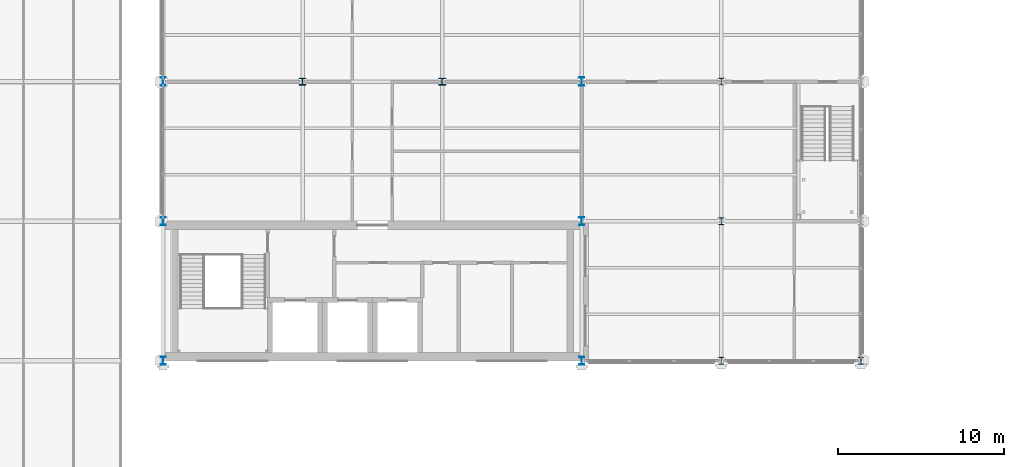
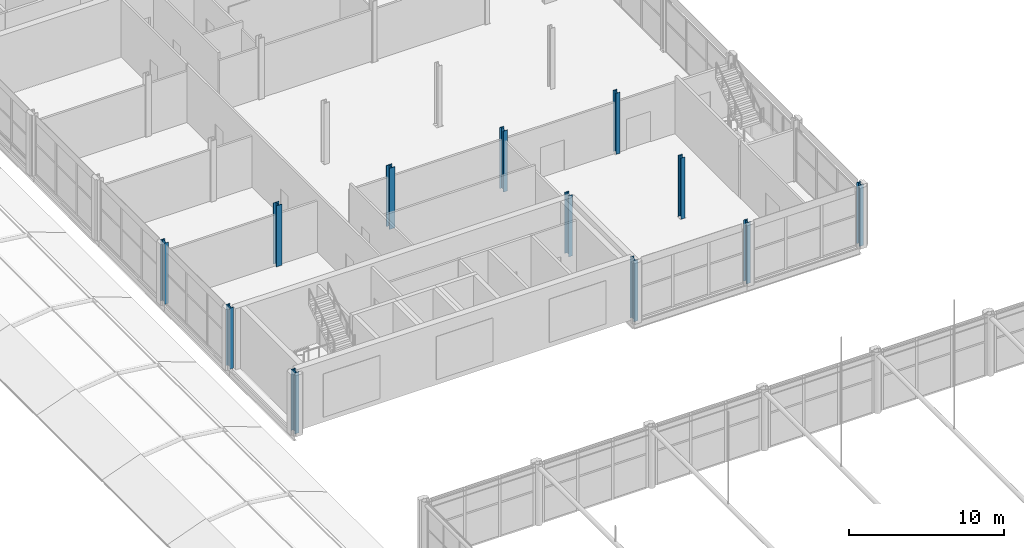
# One storey, part 11 of 167: 12 columns.
"""IFC4 building model written with IfcOpenShell, lengths in metres."""

from ifc_helpers import new_model, si_unit, direction, frame, origin, origin_2d, place, context, subcontext, project, spatial, i_section, extrude, material, material_profile, profile_set, type_object, element, save


model = new_model("IFC4")

# Units and contexts
model_context = context("Model", 3, precision=1e-05, world=origin(), true_north=direction((0.0, 1.0)))
body_context = subcontext(model_context, "Body", "Model", "MODEL_VIEW")
ifc_project = project(units=[si_unit("LENGTHUNIT", "METRE"), si_unit("AREAUNIT", "SQUARE_METRE"), si_unit("VOLUMEUNIT", "CUBIC_METRE"), si_unit("PLANEANGLEUNIT", "RADIAN"), si_unit("MASSUNIT", "GRAM", prefix="KILO")], contexts=[model_context])

# Site, building, storey
site_placement = place(None, origin())
site = spatial("IfcSite", under=ifc_project, at=site_placement, CompositionType="ELEMENT")
building_placement = place(site_placement, origin())
building = spatial("IfcBuilding", under=site, at=building_placement, Name="Catenary Quay Ferry Terminal", CompositionType="ELEMENT")
storey_placement = place(building_placement, frame((0.0, 0.0, 6.0)))
storey = spatial("IfcBuildingStorey", under=building, at=storey_placement, Name="L01", CompositionType="ELEMENT", Elevation=6.0)

# Columns
ifc_material_1 = material(Name="Steel S355", Category="steel")
ifc_material_profile_1 = material_profile(ifc_material_1, i_section(OverallWidth=0.300048828125, OverallDepth=0.5, WebThickness=0.014404296875, FlangeThickness=0.028076171875, at=origin_2d()), Name="HEB 500")
ifc_profile_set_1 = profile_set([ifc_material_profile_1], Name="Steel S355")
column_type_1 = type_object("IfcColumnType", Name="C1 HEB 500", PredefinedType="COLUMN", material=ifc_profile_set_1)
for number, where, z_axis, x_axis, name in (
    (1, (25.199951171875, 159.60009765625, 0.0), (0.0, 0.0, 1.0), (1.0, 0.0, 0.0), "Column C-D20 L01"),
    (2, (25.199951171875, 168.0, 0.0), (0.0, 0.0, 1.0), (1.0, 0.0, 0.0), "Column C-D21 L01"),
    (3, (50.39990234375, 159.60009765625, 0.0), (0.0, 0.0, 1.0), (1.0, 0.0, 0.0), "Column C-G20 L01"),
    (4, (50.39990234375, 168.0, 0.0), (0.0, 0.0, 1.0), (1.0, 0.0, 0.0), "Column C-G21 L01"),
    (5, (25.199951171875, 176.39990234375, 0.0), (0.0, 0.0, 1.0), (1.0, 0.0, 0.0), "Column C-D22 L01"),
    (6, (50.39990234375, 176.39990234375, 0.0), (0.0, 0.0, 1.0), (1.0, 0.0, 0.0), "Column C-G22 L01"),
):
    element("IfcColumn", number, at=place(storey_placement, frame(where, z_axis=z_axis, x_axis=x_axis)), inside=storey, type_object=column_type_1, Name=name, PredefinedType="COLUMN", context=body_context, shape_type="SweptSolid", body=[
        extrude(i_section(OverallWidth=0.300048828125, OverallDepth=0.5, WebThickness=0.014404296875, FlangeThickness=0.028076171875, at=origin_2d()), origin(), (0.0, 0.0, 1.0), 4.800048828125),
    ])
ifc_material_2 = material(Name="Steel S355", Category="steel")
ifc_material_profile_2 = material_profile(ifc_material_2, i_section(OverallWidth=0.300048828125, OverallDepth=0.39990234375, WebThickness=0.013427734375, FlangeThickness=0.02392578125, at=origin_2d()), Name="HEB 400")
ifc_profile_set_2 = profile_set([ifc_material_profile_2], Name="Steel S355")
column_type_2 = type_object("IfcColumnType", Name="C2 HEB 400", PredefinedType="COLUMN", material=ifc_profile_set_2)
for number, where, z_axis, x_axis, name in (
    (7, (58.800048828125, 159.60009765625, 0.0), (0.0, 0.0, 1.0), (1.0, 0.0, 0.0), "Column C-H20 L01"),
    (8, (58.800048828125, 168.0, 0.0), (0.0, 0.0, 1.0), (1.0, 0.0, 0.0), "Column C-H21 L01"),
    (9, (58.800048828125, 176.39990234375, 0.0), (0.0, 0.0, 1.0), (1.0, 0.0, 0.0), "Column C-H22 L01"),
    (10, (67.199951171875, 159.60009765625, 0.0), (0.0, 0.0, 1.0), (1.0, 0.0, 0.0), "Column C-I20 L01"),
):
    element("IfcColumn", number, at=place(storey_placement, frame(where, z_axis=z_axis, x_axis=x_axis)), inside=storey, type_object=column_type_2, Name=name, PredefinedType="COLUMN", context=body_context, shape_type="SweptSolid", body=[
        extrude(i_section(OverallWidth=0.300048828125, OverallDepth=0.39990234375, WebThickness=0.013427734375, FlangeThickness=0.02392578125, at=origin_2d()), origin(), (0.0, 0.0, 1.0), 4.800048828125),
    ])
ifc_material_3 = material(Name="Steel S355", Category="steel")
ifc_material_profile_3 = material_profile(ifc_material_3, i_section(OverallWidth=0.404052734375, OverallDepth=0.406982421875, WebThickness=0.027099609375, FlangeThickness=0.043701171875, at=origin_2d()), Name="HD 400x347")
ifc_profile_set_3 = profile_set([ifc_material_profile_3], Name="Steel S355")
column_type_3 = type_object("IfcColumnType", Name="C9 HD 400x347", PredefinedType="COLUMN", material=ifc_profile_set_3)
for number, where, z_axis, x_axis, name in (
    (11, (33.60009765625, 176.39990234375, 0.0), (0.0, 0.0, 1.0), (1.0, 0.0, 0.0), "Column C-E22 L01"),
    (12, (42.0, 176.39990234375, 0.0), (0.0, 0.0, 1.0), (1.0, 0.0, 0.0), "Column C-F22 L01"),
):
    element("IfcColumn", number, at=place(storey_placement, frame(where, z_axis=z_axis, x_axis=x_axis)), inside=storey, type_object=column_type_3, Name=name, PredefinedType="COLUMN", context=body_context, shape_type="SweptSolid", body=[
        extrude(i_section(OverallWidth=0.404052734375, OverallDepth=0.406982421875, WebThickness=0.027099609375, FlangeThickness=0.043701171875, at=origin_2d()), origin(), (0.0, 0.0, 1.0), 4.800048828125),
    ])

save(model, "model.ifc")
